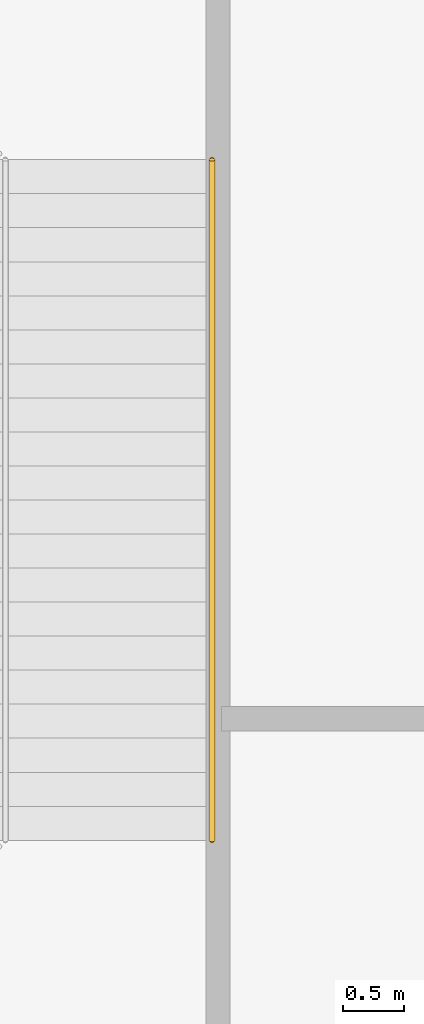
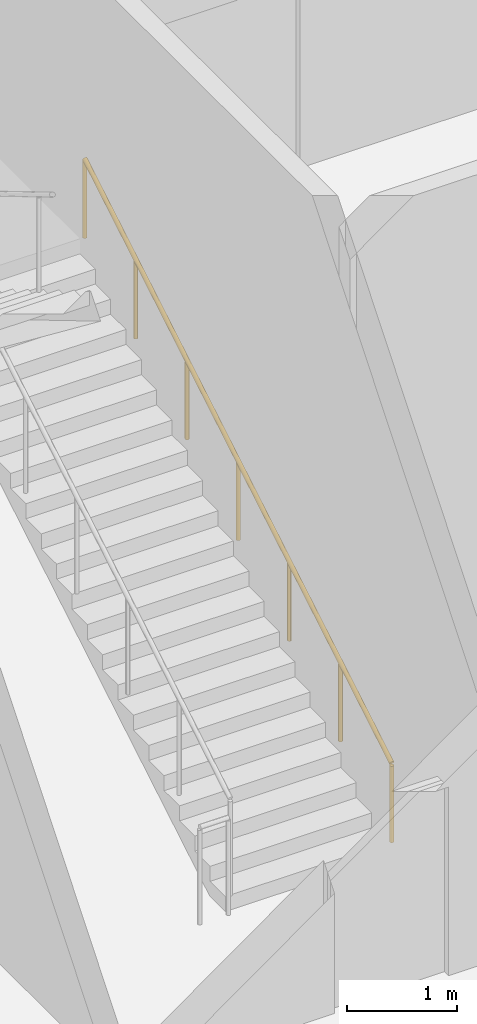
# One storey, part 29 of 30: 1 railing.
"""IFC4 building model written with IfcOpenShell, lengths in metres."""

from ifc_helpers import new_model, si_unit, direction, frame, origin, origin_2d, place, context, subcontext, project, spatial, circle, extrude, material, type_object, element, save


model = new_model("IFC4")

# Units and contexts
model_context = context("Model", 3, precision=1e-05, world=origin(), true_north=direction((0.0, 1.0)))
body_context = subcontext(model_context, "Body", "Model", "MODEL_VIEW")
ifc_project = project(units=[si_unit("LENGTHUNIT", "METRE"), si_unit("AREAUNIT", "SQUARE_METRE"), si_unit("VOLUMEUNIT", "CUBIC_METRE"), si_unit("PLANEANGLEUNIT", "RADIAN"), si_unit("MASSUNIT", "GRAM", prefix="KILO")], contexts=[model_context])

# Site, building, storey
site_placement = place(None, origin())
site = spatial("IfcSite", under=ifc_project, at=site_placement, CompositionType="ELEMENT")
building_placement = place(site_placement, origin())
building = spatial("IfcBuilding", under=site, at=building_placement, Name="Tamarind Cross Interchange Tower", CompositionType="ELEMENT")
storey_placement = place(building_placement, frame((0.0, 0.0, -14.0)))
storey = spatial("IfcBuildingStorey", under=building, at=storey_placement, Name="B2", CompositionType="ELEMENT", Elevation=-14.0)

# Railing
ifc_material = material(Name="Public stair handrail")
railing_type = type_object("IfcRailingType", Name="Public stair handrail", PredefinedType="HANDRAIL", material=ifc_material)
railing_placement = place(storey_placement, frame((60.10009765625, -23.5, 0.166748046875)))
element("IfcRailing", 1, at=railing_placement, inside=storey, type_object=railing_type, Name="B2 XS-P11 stair handrail 1", PredefinedType="HANDRAIL", context=body_context, shape_type="SweptSolid", body=[
    extrude(circle(Radius=0.02392578125, at=origin_2d()), frame((0.0, 0.0, 0.8759765625), z_axis=(0.0, 0.859302292876, 0.511468053214), x_axis=(-1.0, 0.0, 0.0)), (0.0, 0.0, 1.0), 6.51708984375),
    extrude(circle(Radius=0.02099609375, at=origin_2d()), origin(), (0.0, 0.0, 1.0), 0.851806640625),
    extrude(circle(Radius=0.02099609375, at=origin_2d()), frame((0.0, 0.933349609375, 0.5556640625)), (0.0, 0.0, 1.0), 0.851806640625),
    extrude(circle(Radius=0.02099609375, at=origin_2d()), frame((0.0, 1.86669921875, 1.111083984375)), (0.0, 0.0, 1.0), 0.851806640625),
    extrude(circle(Radius=0.02099609375, at=origin_2d()), frame((0.0, 2.800048828125, 1.66650390625)), (0.0, 0.0, 1.0), 0.851806640625),
    extrude(circle(Radius=0.02099609375, at=origin_2d()), frame((0.0, 3.7333984375, 2.22216796875)), (0.0, 0.0, 1.0), 0.851806640625),
    extrude(circle(Radius=0.02099609375, at=origin_2d()), frame((0.0, 4.666748046875, 2.77783203125)), (0.0, 0.0, 1.0), 0.851806640625),
    extrude(circle(Radius=0.02099609375, at=origin_2d()), frame((0.0, 5.60009765625, 3.333251953125)), (0.0, 0.0, 1.0), 0.851806640625),
])

save(model, "model.ifc")
